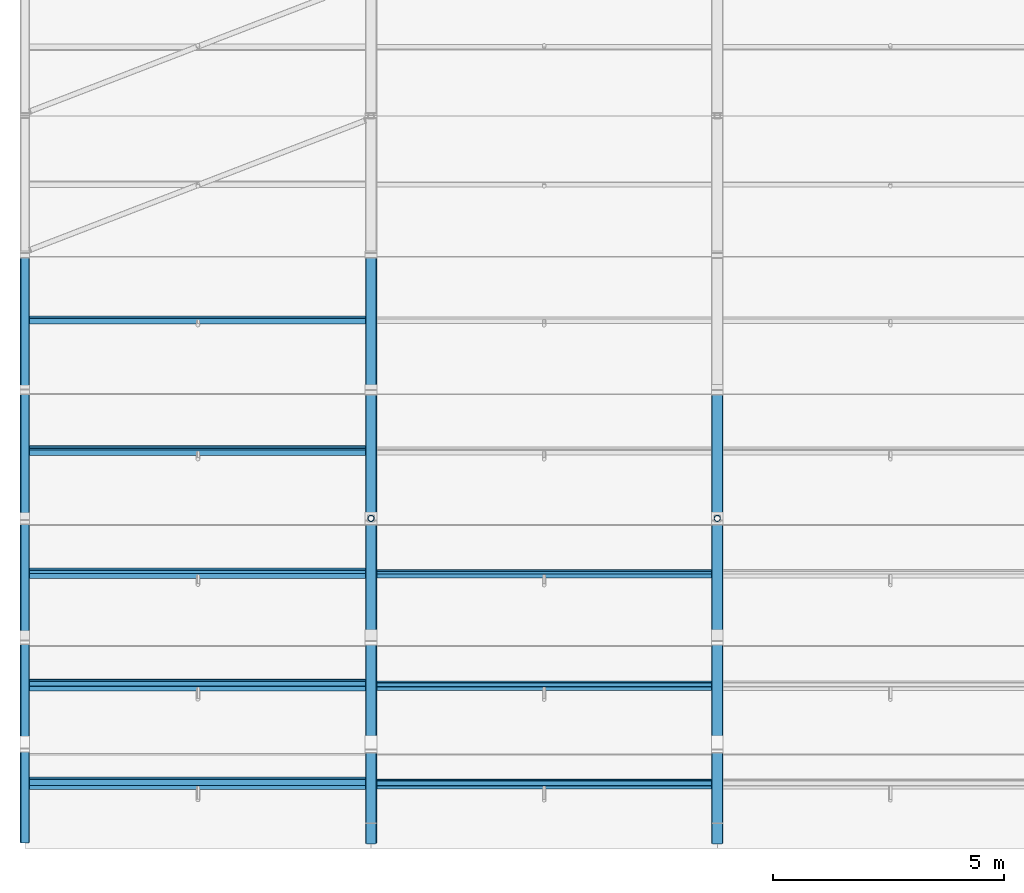
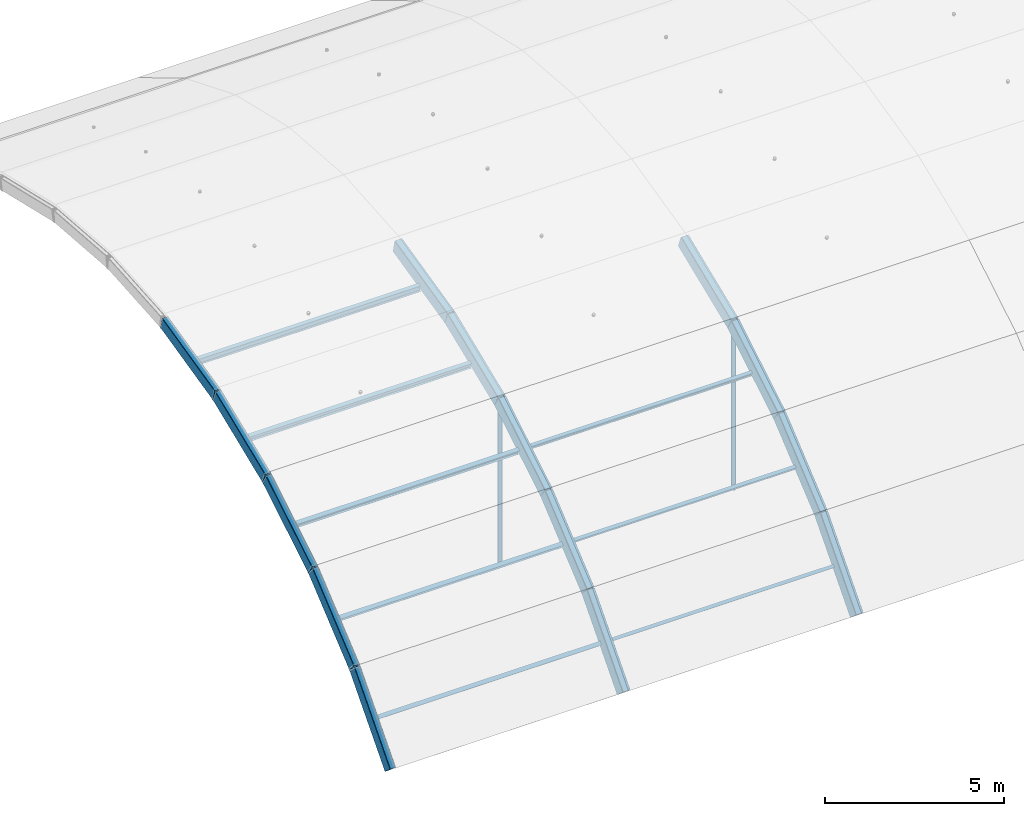
# One storey, part 5 of 77: 14 beams, 10 members.
"""IFC4 building model written with IfcOpenShell, lengths in metres."""

from ifc_helpers import new_model, si_unit, direction, frame, origin, origin_2d, place, context, subcontext, project, spatial, hollow_rectangle, hollow_circle, i_section, extrude, material, material_profile, profile_set, type_object, element, save


model = new_model("IFC4")

# Units and contexts
model_context = context("Model", 3, precision=1e-05, world=origin(), true_north=direction((0.0, 1.0)))
body_context = subcontext(model_context, "Body", "Model", "MODEL_VIEW")
ifc_project = project(units=[si_unit("LENGTHUNIT", "METRE"), si_unit("AREAUNIT", "SQUARE_METRE"), si_unit("VOLUMEUNIT", "CUBIC_METRE"), si_unit("PLANEANGLEUNIT", "RADIAN"), si_unit("MASSUNIT", "GRAM", prefix="KILO")], contexts=[model_context])

# Site, building, storey
site_placement = place(None, origin())
site = spatial("IfcSite", under=ifc_project, at=site_placement, CompositionType="ELEMENT")
building_placement = place(site_placement, origin())
building = spatial("IfcBuilding", under=site, at=building_placement, Name="Yukiwa Park Conservatory and Herbarium", CompositionType="ELEMENT")
storey_placement = place(building_placement, frame((0.0, 0.0, 13.199951171875)))
storey = spatial("IfcBuildingStorey", under=building, at=storey_placement, Name="L03", CompositionType="ELEMENT", Elevation=13.199951171875)

# Beams
ifc_material_1 = material(Name="Steel Q355D", Category="steel")
ifc_material_profile_1 = material_profile(ifc_material_1, hollow_rectangle(XDim=0.25, YDim=0.449951171875, WallThickness=0.013916015625, InnerFilletRadius=0.013916015625, OuterFilletRadius=0.028076171875, at=origin_2d()), Name="RHS 450x250x14")
ifc_profile_set_1 = profile_set([ifc_material_profile_1], Name="Steel Q355D")
beam_type_1 = type_object("IfcBeamType", Name="BM-VLT-ARCH450", PredefinedType="BEAM", material=ifc_profile_set_1)
beam_1_placement = place(storey_placement, frame((7.5, 0.0, -4.199951171875), z_axis=(0.0, 0.659978721293, 0.751284292023), x_axis=(-1.0, 0.0, 0.0)))
element("IfcBeam", 1, at=beam_1_placement, inside=storey, type_object=beam_type_1, Name="Conservatory barrel vault arch rib 2 chord 1", PredefinedType="BEAM", context=body_context, shape_type="SweptSolid", body=[
    extrude(hollow_rectangle(XDim=0.25, YDim=0.449951171875, WallThickness=0.013916015625, InnerFilletRadius=0.013916015625, OuterFilletRadius=0.028076171875, at=origin_2d()), origin(), (0.0, 0.0, 1.0), 3.0107421875),
])
beam_2_placement = place(storey_placement, frame((7.5, 1.987060546875, -1.93798828125), z_axis=(0.0, 0.767749110539, 0.640750578047), x_axis=(-1.0, 0.0, 0.0)))
element("IfcBeam", 2, at=beam_2_placement, inside=storey, type_object=beam_type_1, Name="Conservatory barrel vault arch rib 2 chord 2", PredefinedType="BEAM", context=body_context, shape_type="SweptSolid", body=[
    extrude(hollow_rectangle(XDim=0.25, YDim=0.449951171875, WallThickness=0.013916015625, InnerFilletRadius=0.013916015625, OuterFilletRadius=0.028076171875, at=origin_2d()), origin(), (0.0, 0.0, 1.0), 3.010498046875),
])
for number, where, z_axis, x_axis, name in (
    (3, (7.5, 4.29833984375, -0.009033203125), (0.0, 0.857249569488, 0.514901131881), (-1.0, 0.0, 0.0), "Conservatory barrel vault arch rib 2 chord 3"),
    (4, (7.5, 6.87939453125, 1.541259765625), (0.0, 0.926257021224, 0.376892465609), (-1.0, 0.0, 0.0), "Conservatory barrel vault arch rib 2 chord 4"),
    (5, (7.5, 9.668212890625, 2.676025390625), (0.0, 0.973254208946, 0.22973080936), (-1.0, 0.0, 0.0), "Conservatory barrel vault arch rib 2 chord 5"),
    (6, (15.0, 0.0, -4.199951171875), (0.0, 0.659978721293, 0.751284292023), (-1.0, 0.0, 0.0), "Conservatory barrel vault arch rib 3 chord 1"),
):
    element("IfcBeam", number, at=place(storey_placement, frame(where, z_axis=z_axis, x_axis=x_axis)), inside=storey, type_object=beam_type_1, Name=name, PredefinedType="BEAM", context=body_context, shape_type="SweptSolid", body=[
        extrude(hollow_rectangle(XDim=0.25, YDim=0.449951171875, WallThickness=0.013916015625, InnerFilletRadius=0.013916015625, OuterFilletRadius=0.028076171875, at=origin_2d()), origin(), (0.0, 0.0, 1.0), 3.0107421875),
    ])
beam_3_placement = place(storey_placement, frame((15.0, 1.987060546875, -1.93798828125), z_axis=(0.0, 0.767749110539, 0.640750578047), x_axis=(-1.0, 0.0, 0.0)))
element("IfcBeam", 7, at=beam_3_placement, inside=storey, type_object=beam_type_1, Name="Conservatory barrel vault arch rib 3 chord 2", PredefinedType="BEAM", context=body_context, shape_type="SweptSolid", body=[
    extrude(hollow_rectangle(XDim=0.25, YDim=0.449951171875, WallThickness=0.013916015625, InnerFilletRadius=0.013916015625, OuterFilletRadius=0.028076171875, at=origin_2d()), origin(), (0.0, 0.0, 1.0), 3.010498046875),
])
for number, where, z_axis, x_axis, name in (
    (8, (15.0, 4.29833984375, -0.009033203125), (0.0, 0.857249569488, 0.514901131881), (-1.0, 0.0, 0.0), "Conservatory barrel vault arch rib 3 chord 3"),
    (9, (15.0, 6.87939453125, 1.541259765625), (0.0, 0.926257021224, 0.376892465609), (-1.0, 0.0, 0.0), "Conservatory barrel vault arch rib 3 chord 4"),
):
    element("IfcBeam", number, at=place(storey_placement, frame(where, z_axis=z_axis, x_axis=x_axis)), inside=storey, type_object=beam_type_1, Name=name, PredefinedType="BEAM", context=body_context, shape_type="SweptSolid", body=[
        extrude(hollow_rectangle(XDim=0.25, YDim=0.449951171875, WallThickness=0.013916015625, InnerFilletRadius=0.013916015625, OuterFilletRadius=0.028076171875, at=origin_2d()), origin(), (0.0, 0.0, 1.0), 3.0107421875),
    ])
ifc_material_2 = material(Name="Steel Q355D", Category="steel")
ifc_material_profile_2 = material_profile(ifc_material_2, hollow_rectangle(XDim=0.199951171875, YDim=0.39990234375, WallThickness=0.011962890625, InnerFilletRadius=0.011962890625, OuterFilletRadius=0.02392578125, at=origin_2d()), Name="RHS 400x200x12")
ifc_profile_set_2 = profile_set([ifc_material_profile_2], Name="Steel Q355D")
beam_type_2 = type_object("IfcBeamType", Name="BM-VLT-GABLE400", PredefinedType="BEAM", material=ifc_profile_set_2)
beam_4_placement = place(storey_placement, frame((0.0, 0.0, -4.199951171875), z_axis=(0.0, 0.659978721293, 0.751284292023), x_axis=(-1.0, 0.0, 0.0)))
element("IfcBeam", 10, at=beam_4_placement, inside=storey, type_object=beam_type_2, Name="Conservatory barrel vault arch rib 1 chord 1", PredefinedType="BEAM", context=body_context, shape_type="SweptSolid", body=[
    extrude(hollow_rectangle(XDim=0.199951171875, YDim=0.39990234375, WallThickness=0.011962890625, InnerFilletRadius=0.011962890625, OuterFilletRadius=0.02392578125, at=origin_2d()), origin(), (0.0, 0.0, 1.0), 3.0107421875),
])
beam_5_placement = place(storey_placement, frame((0.0, 1.987060546875, -1.93798828125), z_axis=(0.0, 0.767749110539, 0.640750578047), x_axis=(-1.0, 0.0, 0.0)))
element("IfcBeam", 11, at=beam_5_placement, inside=storey, type_object=beam_type_2, Name="Conservatory barrel vault arch rib 1 chord 2", PredefinedType="BEAM", context=body_context, shape_type="SweptSolid", body=[
    extrude(hollow_rectangle(XDim=0.199951171875, YDim=0.39990234375, WallThickness=0.011962890625, InnerFilletRadius=0.011962890625, OuterFilletRadius=0.02392578125, at=origin_2d()), origin(), (0.0, 0.0, 1.0), 3.010498046875),
])
for number, where, z_axis, x_axis, name in (
    (12, (0.0, 4.29833984375, -0.009033203125), (0.0, 0.857249569488, 0.514901131881), (-1.0, 0.0, 0.0), "Conservatory barrel vault arch rib 1 chord 3"),
    (13, (0.0, 6.87939453125, 1.541259765625), (0.0, 0.926257021224, 0.376892465609), (-1.0, 0.0, 0.0), "Conservatory barrel vault arch rib 1 chord 4"),
    (14, (0.0, 9.668212890625, 2.676025390625), (0.0, 0.973254208946, 0.22973080936), (-1.0, 0.0, 0.0), "Conservatory barrel vault arch rib 1 chord 5"),
):
    element("IfcBeam", number, at=place(storey_placement, frame(where, z_axis=z_axis, x_axis=x_axis)), inside=storey, type_object=beam_type_2, Name=name, PredefinedType="BEAM", context=body_context, shape_type="SweptSolid", body=[
        extrude(hollow_rectangle(XDim=0.199951171875, YDim=0.39990234375, WallThickness=0.011962890625, InnerFilletRadius=0.011962890625, OuterFilletRadius=0.02392578125, at=origin_2d()), origin(), (0.0, 0.0, 1.0), 3.0107421875),
    ])

# Members
ifc_material_3 = material(Name="Steel Q355D", Category="steel")
ifc_material_profile_3 = material_profile(ifc_material_3, i_section(OverallWidth=0.10009765625, OverallDepth=0.199951171875, WebThickness=0.005615234375, FlangeThickness=0.008056640625, FilletRadius=0.010986328125, at=origin_2d()), Name="HN 200x100x5.5x8")
ifc_profile_set_3 = profile_set([ifc_material_profile_3], Name="Steel Q355D")
member_type_1 = type_object("IfcMemberType", Name="MB-VLT-PURL200", PredefinedType="PURLIN", material=ifc_profile_set_3)
for number, where, z_axis, x_axis, name in (
    (15, (7.5849609375, 1.125732421875, -3.18505859375), (1.0, 0.0, 0.0), (0.0, 0.659967575996, 0.751294082656), "Conservatory vault longitudinal purlin 2.1"),
    (16, (7.5849609375, 3.25537109375, -1.108642578125), (1.0, 0.0, 0.0), (0.0, 0.767751470285, 0.640747750582), "Conservatory vault longitudinal purlin 2.2"),
    (17, (7.5849609375, 5.679443359375, 0.615234375), (1.0, 0.0, 0.0), (0.0, 0.857233812968, 0.514927363717), "Conservatory vault longitudinal purlin 2.3"),
):
    element("IfcMember", number, at=place(storey_placement, frame(where, z_axis=z_axis, x_axis=x_axis)), inside=storey, type_object=member_type_1, Name=name, PredefinedType="PURLIN", context=body_context, shape_type="SweptSolid", body=[
        extrude(i_section(OverallWidth=0.10009765625, OverallDepth=0.199951171875, WebThickness=0.005615234375, FlangeThickness=0.008056640625, FilletRadius=0.010986328125, at=origin_2d()), origin(), (0.0, 0.0, 1.0), 7.330078125),
    ])
ifc_material_4 = material(Name="Steel Q355D", Category="steel")
ifc_material_profile_4 = material_profile(ifc_material_4, i_section(OverallWidth=0.1240234375, OverallDepth=0.248046875, WebThickness=0.0048828125, FlangeThickness=0.008056640625, FilletRadius=0.011962890625, at=origin_2d()), Name="HN 248x124x5x8")
ifc_profile_set_4 = profile_set([ifc_material_profile_4], Name="Steel Q355D")
member_type_2 = type_object("IfcMemberType", Name="MB-VLT-PURL248", PredefinedType="PURLIN", material=ifc_profile_set_4)
for number, where, z_axis, x_axis, name in (
    (18, (0.0849609375, 1.143798828125, -3.200927734375), (1.0, 0.0, 0.0), (0.0, 0.659967575996, 0.751294082656), "Conservatory vault longitudinal purlin 1.1"),
    (19, (0.0849609375, 3.270751953125, -1.126953125), (1.0, 0.0, 0.0), (0.0, 0.767751470285, 0.640747750582), "Conservatory vault longitudinal purlin 1.2"),
    (20, (0.0849609375, 5.69189453125, 0.5947265625), (1.0, 0.0, 0.0), (0.0, 0.857233812968, 0.514927363717), "Conservatory vault longitudinal purlin 1.3"),
    (21, (0.0849609375, 8.34912109375, 1.92333984375), (1.0, 0.0, 0.0), (0.0, 0.926282194237, 0.376830594086), "Conservatory vault longitudinal purlin 1.4"),
    (22, (0.0849609375, 11.17919921875, 2.8271484375), (1.0, 0.0, 0.0), (0.0, 0.973249092076, 0.22975248589), "Conservatory vault longitudinal purlin 1.5"),
):
    element("IfcMember", number, at=place(storey_placement, frame(where, z_axis=z_axis, x_axis=x_axis)), inside=storey, type_object=member_type_2, Name=name, PredefinedType="PURLIN", context=body_context, shape_type="SweptSolid", body=[
        extrude(i_section(OverallWidth=0.1240234375, OverallDepth=0.248046875, WebThickness=0.0048828125, FlangeThickness=0.008056640625, FilletRadius=0.011962890625, at=origin_2d()), origin(), (0.0, 0.0, 1.0), 7.330078125),
    ])
ifc_material_5 = material(Name="Steel Q355D", Category="steel")
ifc_material_profile_5 = material_profile(ifc_material_5, hollow_circle(Radius=0.06982421875, WallThickness=0.008056640625, at=origin_2d()), Name="CHS 139.7x8")
ifc_profile_set_5 = profile_set([ifc_material_profile_5], Name="Steel Q355D")
member_type_3 = type_object("IfcMemberType", Name="MB-VLT-STRUT140", PredefinedType="STRUT", material=ifc_profile_set_5)
for number, where, z_axis, x_axis, name in (
    (23, (7.5, 6.87939453125, -4.095947265625), (0.0, 0.0, 1.0), (1.0, 0.0, 0.0), "Conservatory vault bowstring hanger 2.3"),
    (24, (15.0, 6.87939453125, -4.095947265625), (0.0, 0.0, 1.0), (1.0, 0.0, 0.0), "Conservatory vault bowstring hanger 3.3"),
):
    element("IfcMember", number, at=place(storey_placement, frame(where, z_axis=z_axis, x_axis=x_axis)), inside=storey, type_object=member_type_3, Name=name, PredefinedType="STRUT", context=body_context, shape_type="SweptSolid", body=[
        extrude(hollow_circle(Radius=0.06982421875, WallThickness=0.008056640625, at=origin_2d()), origin(), (0.0, 0.0, 1.0), 5.42236328125),
    ])

save(model, "model.ifc")
